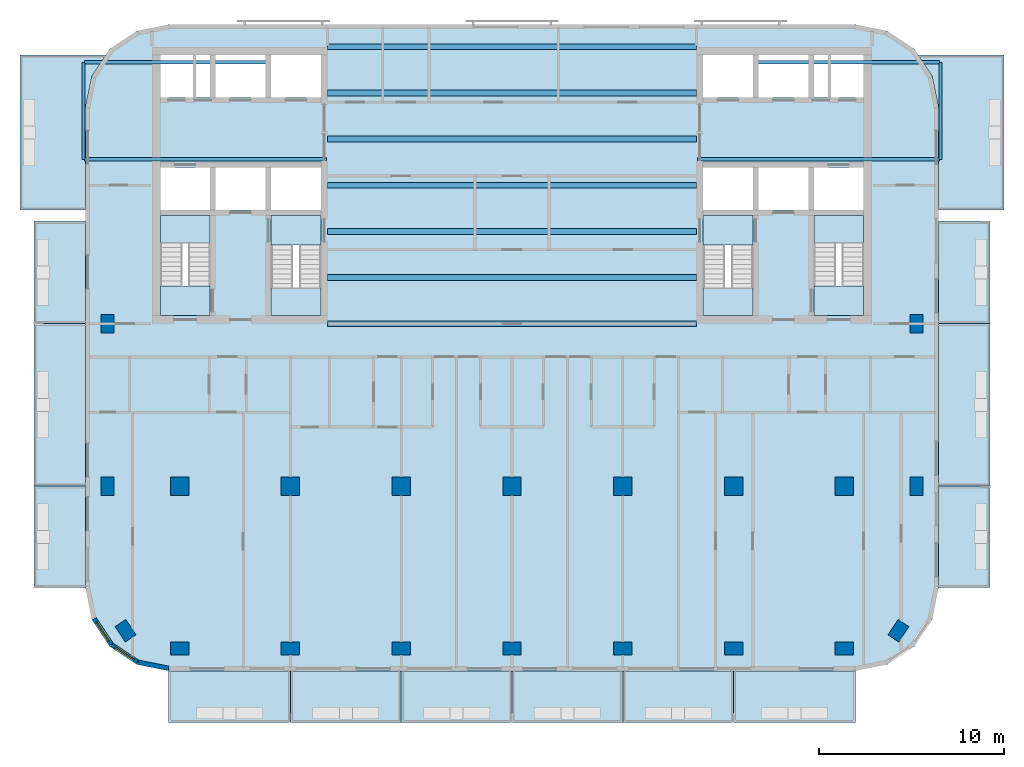
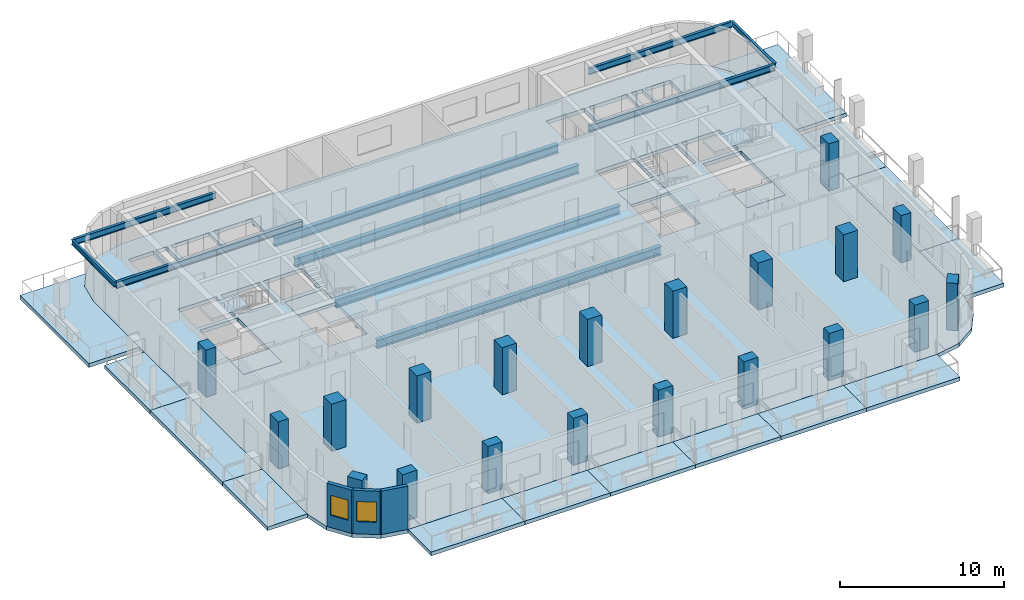
# One storey, part 1 of 11: 23 slabs, 20 columns, 13 beams, 3 walls, 2 windows, 2 openings, 4 elements without a shape of their own.
"""IFC4 building model written with IfcOpenShell, lengths in metres."""

from ifc_helpers import new_model, si_unit, direction, frame, frame_2d, origin, origin_2d, place, context, subcontext, project, spatial, polyline, rectangle, i_section, outline, extrude, material, layer, layer_set, material_profile, profile_set, type_object, element, fill, aggregate, save


model = new_model("IFC4")

# Units and contexts
model_context = context("Model", 3, precision=1e-05, world=origin(), true_north=direction((0.0, 1.0)))
body_context = subcontext(model_context, "Body", "Model", "MODEL_VIEW")
ifc_project = project(units=[si_unit("LENGTHUNIT", "METRE"), si_unit("AREAUNIT", "SQUARE_METRE"), si_unit("VOLUMEUNIT", "CUBIC_METRE"), si_unit("PLANEANGLEUNIT", "RADIAN"), si_unit("MASSUNIT", "GRAM", prefix="KILO")], contexts=[model_context])

# Site, building, storey
site_placement = place(None, origin())
site = spatial("IfcSite", under=ifc_project, at=site_placement, CompositionType="ELEMENT")
building_placement = place(site_placement, origin())
building = spatial("IfcBuilding", under=site, at=building_placement, Name="Torana Hotel and Residences", CompositionType="ELEMENT")
storey_placement = place(building_placement, frame((0.0, 0.0, 256.10009765625)))
storey = spatial("IfcBuildingStorey", under=building, at=storey_placement, Name="L67", CompositionType="ELEMENT", Elevation=256.10009765625)

# Columns
ifc_material_1 = material(Name="Concrete C50/60", Category="concrete")
ifc_material_profile_1 = material_profile(ifc_material_1, rectangle(XDim=1.0, YDim=1.0, at=origin_2d()), Name="RC 1000x1000")
ifc_profile_set_1 = profile_set([ifc_material_profile_1], Name="Concrete C50/60")
column_type_1 = type_object("IfcColumnType", Name="COLUMN RC 1000x1000 C50/60", PredefinedType="COLUMN", material=ifc_profile_set_1)
for number, where, z_axis, x_axis, name in (
    (1, (-18.0, -23.800048828125, 0.0), (0.0, 0.0, 1.0), (1.0, 0.0, 0.0), "Column L67"),
    (2, (-12.0, -23.800048828125, 0.0), (0.0, 0.0, 1.0), (1.0, 0.0, 0.0), "Column L67"),
    (3, (-6.0, -23.800048828125, 0.0), (0.0, 0.0, 1.0), (1.0, 0.0, 0.0), "Column L67"),
    (4, (0.0, -23.800048828125, 0.0), (0.0, 0.0, 1.0), (1.0, 0.0, 0.0), "Column L67"),
    (5, (6.0, -23.800048828125, 0.0), (0.0, 0.0, 1.0), (1.0, 0.0, 0.0), "Column L67"),
    (6, (12.0, -23.800048828125, 0.0), (0.0, 0.0, 1.0), (1.0, 0.0, 0.0), "Column L67"),
    (7, (18.0, -23.800048828125, 0.0), (0.0, 0.0, 1.0), (1.0, 0.0, 0.0), "Column L67"),
):
    element("IfcColumn", number, at=place(storey_placement, frame(where, z_axis=z_axis, x_axis=x_axis)), inside=storey, type_object=column_type_1, Name=name, PredefinedType="COLUMN", context=body_context, shape_type="SweptSolid", body=[
        extrude(rectangle(XDim=1.0, YDim=1.0, at=origin_2d()), origin(), (0.0, 0.0, 1.0), 3.5),
    ])
ifc_material_2 = material(Name="Concrete C50/60", Category="concrete")
ifc_material_profile_2 = material_profile(ifc_material_2, rectangle(XDim=1.0, YDim=0.699951171875, at=origin_2d()), Name="RC 1000x700")
ifc_profile_set_2 = profile_set([ifc_material_profile_2], Name="Concrete C50/60")
column_type_2 = type_object("IfcColumnType", Name="COLUMN RC 1000x700 C50/60", PredefinedType="COLUMN", material=ifc_profile_set_2)
for number, where, z_axis, x_axis, name in (
    (8, (-21.89990234375, -23.800048828125, 0.0), (0.0, 0.0, 1.0), (0.0, 1.0, 0.0), "Column L67"),
    (9, (-21.89990234375, -15.0, 0.0), (0.0, 0.0, 1.0), (0.0, 1.0, 0.0), "Column L67"),
    (10, (-20.93310546875, -31.633056640625, 0.0), (0.0, 0.0, 1.0), (-0.555584744817, 0.831459915646, 0.0), "Column L67"),
    (11, (-18.0, -32.60009765625, 0.0), (0.0, 0.0, 1.0), (1.0, 0.0, 0.0), "Column L67"),
    (12, (-12.0, -32.60009765625, 0.0), (0.0, 0.0, 1.0), (1.0, 0.0, 0.0), "Column L67"),
    (13, (-6.0, -32.60009765625, 0.0), (0.0, 0.0, 1.0), (1.0, 0.0, 0.0), "Column L67"),
    (14, (0.0, -32.60009765625, 0.0), (0.0, 0.0, 1.0), (1.0, 0.0, 0.0), "Column L67"),
    (15, (6.0, -32.60009765625, 0.0), (0.0, 0.0, 1.0), (1.0, 0.0, 0.0), "Column L67"),
    (16, (12.0, -32.60009765625, 0.0), (0.0, 0.0, 1.0), (1.0, 0.0, 0.0), "Column L67"),
    (17, (18.0, -32.60009765625, 0.0), (0.0, 0.0, 1.0), (1.0, 0.0, 0.0), "Column L67"),
    (18, (20.93310546875, -31.633056640625, 0.0), (0.0, 0.0, 1.0), (0.555584744817, 0.831459915646, 0.0), "Column L67"),
    (19, (21.89990234375, -23.800048828125, 0.0), (0.0, 0.0, 1.0), (0.0, 1.0, 0.0), "Column L67"),
    (20, (21.89990234375, -15.0, 0.0), (0.0, 0.0, 1.0), (0.0, 1.0, 0.0), "Column L67"),
):
    element("IfcColumn", number, at=place(storey_placement, frame(where, z_axis=z_axis, x_axis=x_axis)), inside=storey, type_object=column_type_2, Name=name, PredefinedType="COLUMN", context=body_context, shape_type="SweptSolid", body=[
        extrude(rectangle(XDim=1.0, YDim=0.699951171875, at=origin_2d()), origin(), (0.0, 0.0, 1.0), 3.5),
    ])

# Beams
ifc_material_3 = material(Name="Steel S355", Category="steel")
ifc_material_profile_3 = material_profile(ifc_material_3, i_section(OverallWidth=0.19287109375, OverallDepth=0.46728515625, WebThickness=0.011474609375, FlangeThickness=0.01953125, FilletRadius=0.01025390625, at=origin_2d()), Name="457x191x98 UB")
ifc_profile_set_3 = profile_set([ifc_material_profile_3], Name="Steel S355")
beam_type_1 = type_object("IfcBeamType", Name="BALCONY CANTILEVER BEAM 457x191x98 UB", PredefinedType="BEAM", material=ifc_profile_set_3)
beam_1_placement = place(storey_placement, frame((-23.1484375, -6.10009765625, 2.986328125), z_axis=(1.0, 0.0, 0.0), x_axis=(0.0, 1.0, 0.0)))
element("IfcBeam", 21, at=beam_1_placement, inside=storey, type_object=beam_type_1, Name="Balcony cantilever beam", PredefinedType="BEAM", context=body_context, shape_type="SweptSolid", body=[
    extrude(i_section(OverallWidth=0.19287109375, OverallDepth=0.46728515625, WebThickness=0.011474609375, FlangeThickness=0.01953125, FilletRadius=0.01025390625, at=origin_2d()), origin(), (0.0, 0.0, 1.0), 13.098388671875),
])
beam_2_placement = place(storey_placement, frame((-23.1484375, -0.85009765625, 2.986328125), z_axis=(1.0, 0.0, 0.0), x_axis=(0.0, 1.0, 0.0)))
element("IfcBeam", 22, at=beam_2_placement, inside=storey, type_object=beam_type_1, Name="Balcony cantilever beam", PredefinedType="BEAM", context=body_context, shape_type="SweptSolid", body=[
    extrude(i_section(OverallWidth=0.19287109375, OverallDepth=0.46728515625, WebThickness=0.011474609375, FlangeThickness=0.01953125, FilletRadius=0.01025390625, at=origin_2d()), origin(), (0.0, 0.0, 1.0), 10.04833984375),
])
beam_3_placement = place(storey_placement, frame((23.1484375, -6.10009765625, 2.986328125), z_axis=(-1.0, 0.0, 0.0), x_axis=(0.0, -1.0, 0.0)))
element("IfcBeam", 23, at=beam_3_placement, inside=storey, type_object=beam_type_1, Name="Balcony cantilever beam", PredefinedType="BEAM", context=body_context, shape_type="SweptSolid", body=[
    extrude(i_section(OverallWidth=0.19287109375, OverallDepth=0.46728515625, WebThickness=0.011474609375, FlangeThickness=0.01953125, FilletRadius=0.01025390625, at=origin_2d()), origin(), (0.0, 0.0, 1.0), 13.098388671875),
])
beam_4_placement = place(storey_placement, frame((23.1484375, -0.85009765625, 2.986328125), z_axis=(-1.0, 0.0, 0.0), x_axis=(0.0, -1.0, 0.0)))
element("IfcBeam", 24, at=beam_4_placement, inside=storey, type_object=beam_type_1, Name="Balcony cantilever beam", PredefinedType="BEAM", context=body_context, shape_type="SweptSolid", body=[
    extrude(i_section(OverallWidth=0.19287109375, OverallDepth=0.46728515625, WebThickness=0.011474609375, FlangeThickness=0.01953125, FilletRadius=0.01025390625, at=origin_2d()), origin(), (0.0, 0.0, 1.0), 10.04833984375),
])
ifc_material_4 = material(Name="Steel S355", Category="steel")
ifc_material_profile_4 = material_profile(ifc_material_4, i_section(OverallWidth=0.173095703125, OverallDepth=0.36328125, WebThickness=0.009033203125, FlangeThickness=0.015625, FilletRadius=0.01025390625, at=origin_2d()), Name="356x171x67 UB")
ifc_profile_set_4 = profile_set([ifc_material_profile_4], Name="Steel S355")
beam_type_2 = type_object("IfcBeamType", Name="BALCONY TIP BEAM 356x171x67 UB", PredefinedType="BEAM", material=ifc_profile_set_4)
for number, where, z_axis, x_axis, name in (
    (25, (-23.205078125, -6.10009765625, 3.0380859375), (0.0, 1.0, 0.0), (-1.0, 0.0, 0.0), "Balcony tip beam"),
    (26, (23.205078125, -6.10009765625, 3.0380859375), (0.0, 1.0, 0.0), (-1.0, 0.0, 0.0), "Balcony tip beam"),
):
    element("IfcBeam", number, at=place(storey_placement, frame(where, z_axis=z_axis, x_axis=x_axis)), inside=storey, type_object=beam_type_2, Name=name, PredefinedType="BEAM", context=body_context, shape_type="SweptSolid", body=[
        extrude(i_section(OverallWidth=0.173095703125, OverallDepth=0.36328125, WebThickness=0.009033203125, FlangeThickness=0.015625, FilletRadius=0.01025390625, at=origin_2d()), origin(), (0.0, 0.0, 1.0), 5.25),
    ])
ifc_material_5 = material(Name="Steel S355", Category="steel")
ifc_material_profile_5 = material_profile(ifc_material_5, i_section(OverallWidth=0.311279296875, OverallDepth=0.6357421875, WebThickness=0.018310546875, FlangeThickness=0.031494140625, FilletRadius=0.0166015625, at=origin_2d()), Name="610x305x238 UB")
ifc_profile_set_5 = profile_set([ifc_material_profile_5], Name="Steel S355")
beam_type_3 = type_object("IfcBeamType", Name="STEEL GIRDER 610x305x238 UB", PredefinedType="BEAM", material=ifc_profile_set_5)
for number, where, z_axis, x_axis, name in (
    (27, (-10.0, -15.0, -0.597900390625), (1.0, 0.0, 0.0), (0.0, 1.0, 0.0), "Floor girder"),
    (28, (-10.0, -12.5, -0.597900390625), (1.0, 0.0, 0.0), (0.0, 1.0, 0.0), "Floor girder"),
    (29, (-10.0, -10.0, -0.597900390625), (1.0, 0.0, 0.0), (0.0, 1.0, 0.0), "Floor girder"),
    (30, (-10.0, -7.5, -0.597900390625), (1.0, 0.0, 0.0), (0.0, 1.0, 0.0), "Floor girder"),
    (31, (-10.0, -5.0, -0.597900390625), (1.0, 0.0, 0.0), (0.0, 1.0, 0.0), "Floor girder"),
    (32, (-10.0, -2.5, -0.597900390625), (1.0, 0.0, 0.0), (0.0, 1.0, 0.0), "Floor girder"),
    (33, (-10.0, 0.0, -0.597900390625), (1.0, 0.0, 0.0), (0.0, 1.0, 0.0), "Floor girder"),
):
    element("IfcBeam", number, at=place(storey_placement, frame(where, z_axis=z_axis, x_axis=x_axis)), inside=storey, type_object=beam_type_3, Name=name, PredefinedType="BEAM", context=body_context, shape_type="SweptSolid", body=[
        extrude(i_section(OverallWidth=0.311279296875, OverallDepth=0.6357421875, WebThickness=0.018310546875, FlangeThickness=0.031494140625, FilletRadius=0.0166015625, at=origin_2d()), origin(), (0.0, 0.0, 1.0), 20.0),
    ])

# Slabs
ifc_material_6 = material(Name="Concrete C40/50", Category="concrete")
ifc_layer_1 = layer(ifc_material_6, 0.280029296875)
ifc_layer_set_1 = layer_set([ifc_layer_1], Name="BAL1 BALCONY SLAB 280")
slab_type_1 = type_object("IfcSlabType", Name="BAL1 BALCONY SLAB 280", PredefinedType="USERDEFINED", material=ifc_layer_set_1)
slab_1_placement = place(storey_placement, frame((0.0, 0.0, -0.280029296875)))
element("IfcSlab", 34, at=slab_1_placement, inside=storey, type_object=slab_type_1, Name="Balcony 01", ObjectType="BALCONY", PredefinedType="USERDEFINED", context=body_context, shape_type="SweptSolid", body=[
    extrude(outline(polyline([(-18.60009765625, -36.60009765625), (-12.0, -36.60009765625), (-12.0, -33.800048828125), (-18.60009765625, -33.800048828125), (-18.60009765625, -36.60009765625)])), origin(), (0.0, 0.0, 1.0), 0.280029296875),
])
slab_2_placement = place(storey_placement, frame((0.0, 0.0, -0.280029296875)))
element("IfcSlab", 35, at=slab_2_placement, inside=storey, type_object=slab_type_1, Name="Balcony 02", ObjectType="BALCONY", PredefinedType="USERDEFINED", context=body_context, shape_type="SweptSolid", body=[
    extrude(outline(polyline([(-12.0, -36.60009765625), (-6.0, -36.60009765625), (-6.0, -33.800048828125), (-12.0, -33.800048828125), (-12.0, -36.60009765625)])), origin(), (0.0, 0.0, 1.0), 0.280029296875),
])
slab_3_placement = place(storey_placement, frame((0.0, 0.0, -0.280029296875)))
element("IfcSlab", 36, at=slab_3_placement, inside=storey, type_object=slab_type_1, Name="Balcony 03", ObjectType="BALCONY", PredefinedType="USERDEFINED", context=body_context, shape_type="SweptSolid", body=[
    extrude(outline(polyline([(-6.0, -36.60009765625), (0.0, -36.60009765625), (0.0, -33.800048828125), (-6.0, -33.800048828125), (-6.0, -36.60009765625)])), origin(), (0.0, 0.0, 1.0), 0.280029296875),
])
slab_4_placement = place(storey_placement, frame((0.0, 0.0, -0.280029296875)))
element("IfcSlab", 37, at=slab_4_placement, inside=storey, type_object=slab_type_1, Name="Balcony 04", ObjectType="BALCONY", PredefinedType="USERDEFINED", context=body_context, shape_type="SweptSolid", body=[
    extrude(outline(polyline([(0.0, -36.60009765625), (6.0, -36.60009765625), (6.0, -33.800048828125), (0.0, -33.800048828125), (0.0, -36.60009765625)])), origin(), (0.0, 0.0, 1.0), 0.280029296875),
])
slab_5_placement = place(storey_placement, frame((0.0, 0.0, -0.280029296875)))
element("IfcSlab", 38, at=slab_5_placement, inside=storey, type_object=slab_type_1, Name="Balcony 05", ObjectType="BALCONY", PredefinedType="USERDEFINED", context=body_context, shape_type="SweptSolid", body=[
    extrude(outline(polyline([(6.0, -36.60009765625), (12.0, -36.60009765625), (12.0, -33.800048828125), (6.0, -33.800048828125), (6.0, -36.60009765625)])), origin(), (0.0, 0.0, 1.0), 0.280029296875),
])
slab_6_placement = place(storey_placement, frame((0.0, 0.0, -0.280029296875)))
element("IfcSlab", 39, at=slab_6_placement, inside=storey, type_object=slab_type_1, Name="Balcony 06", ObjectType="BALCONY", PredefinedType="USERDEFINED", context=body_context, shape_type="SweptSolid", body=[
    extrude(outline(polyline([(12.0, -36.60009765625), (18.60009765625, -36.60009765625), (18.60009765625, -33.800048828125), (12.0, -33.800048828125), (12.0, -36.60009765625)])), origin(), (0.0, 0.0, 1.0), 0.280029296875),
])
slab_7_placement = place(storey_placement, frame((0.0, 0.0, -0.280029296875)))
element("IfcSlab", 40, at=slab_7_placement, inside=storey, type_object=slab_type_1, Name="Balcony 07", ObjectType="BALCONY", PredefinedType="USERDEFINED", context=body_context, shape_type="SweptSolid", body=[
    extrude(outline(polyline([(-25.89990234375, -29.300048828125), (-23.10009765625, -29.300048828125), (-23.10009765625, -23.800048828125), (-25.89990234375, -23.800048828125), (-25.89990234375, -29.300048828125)])), origin(), (0.0, 0.0, 1.0), 0.280029296875),
])
slab_8_placement = place(storey_placement, frame((0.0, 0.0, -0.280029296875)))
element("IfcSlab", 41, at=slab_8_placement, inside=storey, type_object=slab_type_1, Name="Balcony 08", ObjectType="BALCONY", PredefinedType="USERDEFINED", context=body_context, shape_type="SweptSolid", body=[
    extrude(outline(polyline([(-25.89990234375, -23.800048828125), (-23.10009765625, -23.800048828125), (-23.10009765625, -15.0), (-25.89990234375, -15.0), (-25.89990234375, -23.800048828125)])), origin(), (0.0, 0.0, 1.0), 0.280029296875),
])
slab_9_placement = place(storey_placement, frame((0.0, 0.0, -0.280029296875)))
element("IfcSlab", 42, at=slab_9_placement, inside=storey, type_object=slab_type_1, Name="Balcony 09", ObjectType="BALCONY", PredefinedType="USERDEFINED", context=body_context, shape_type="SweptSolid", body=[
    extrude(outline(polyline([(-25.89990234375, -15.0), (-23.10009765625, -15.0), (-23.10009765625, -9.449951171875), (-25.89990234375, -9.449951171875), (-25.89990234375, -15.0)])), origin(), (0.0, 0.0, 1.0), 0.280029296875),
])
slab_10_placement = place(storey_placement, frame((0.0, 0.0, -0.280029296875)))
element("IfcSlab", 43, at=slab_10_placement, inside=storey, type_object=slab_type_1, Name="Balcony 10", ObjectType="BALCONY", PredefinedType="USERDEFINED", context=body_context, shape_type="SweptSolid", body=[
    extrude(outline(polyline([(-26.64990234375, -8.85009765625), (-23.10009765625, -8.85009765625), (-23.10009765625, -3.300048828125), (-22.757568359375, -1.577880859375), (-22.00390625, -0.449951171875), (-26.64990234375, -0.449951171875), (-26.64990234375, -8.85009765625)])), origin(), (0.0, 0.0, 1.0), 0.280029296875),
])
slab_11_placement = place(storey_placement, frame((0.0, 0.0, -0.280029296875)))
element("IfcSlab", 44, at=slab_11_placement, inside=storey, type_object=slab_type_1, Name="Balcony 11", ObjectType="BALCONY", PredefinedType="USERDEFINED", context=body_context, shape_type="SweptSolid", body=[
    extrude(outline(polyline([(23.10009765625, -29.300048828125), (25.89990234375, -29.300048828125), (25.89990234375, -23.800048828125), (23.10009765625, -23.800048828125), (23.10009765625, -29.300048828125)])), origin(), (0.0, 0.0, 1.0), 0.280029296875),
])
slab_12_placement = place(storey_placement, frame((0.0, 0.0, -0.280029296875)))
element("IfcSlab", 45, at=slab_12_placement, inside=storey, type_object=slab_type_1, Name="Balcony 12", ObjectType="BALCONY", PredefinedType="USERDEFINED", context=body_context, shape_type="SweptSolid", body=[
    extrude(outline(polyline([(23.10009765625, -23.800048828125), (25.89990234375, -23.800048828125), (25.89990234375, -15.0), (23.10009765625, -15.0), (23.10009765625, -23.800048828125)])), origin(), (0.0, 0.0, 1.0), 0.280029296875),
])
slab_13_placement = place(storey_placement, frame((0.0, 0.0, -0.280029296875)))
element("IfcSlab", 46, at=slab_13_placement, inside=storey, type_object=slab_type_1, Name="Balcony 13", ObjectType="BALCONY", PredefinedType="USERDEFINED", context=body_context, shape_type="SweptSolid", body=[
    extrude(outline(polyline([(23.10009765625, -15.0), (25.89990234375, -15.0), (25.89990234375, -9.449951171875), (23.10009765625, -9.449951171875), (23.10009765625, -15.0)])), origin(), (0.0, 0.0, 1.0), 0.280029296875),
])
slab_14_placement = place(storey_placement, frame((0.0, 0.0, -0.280029296875)))
element("IfcSlab", 47, at=slab_14_placement, inside=storey, type_object=slab_type_1, Name="Balcony 14", ObjectType="BALCONY", PredefinedType="USERDEFINED", context=body_context, shape_type="SweptSolid", body=[
    extrude(outline(polyline([(23.10009765625, -8.85009765625), (26.64990234375, -8.85009765625), (26.64990234375, -0.449951171875), (22.00390625, -0.449951171875), (22.757568359375, -1.577880859375), (23.10009765625, -3.300048828125), (23.10009765625, -8.85009765625)])), origin(), (0.0, 0.0, 1.0), 0.280029296875),
])
ifc_material_7 = material(Name="Concrete C40/50", Category="concrete")
ifc_layer_2 = layer(ifc_material_7, 0.280029296875)
ifc_layer_set_2 = layer_set([ifc_layer_2], Name="FLOOR SLAB PT 280")
slab_type_2 = type_object("IfcSlabType", Name="FLOOR SLAB PT 280", PredefinedType="FLOOR", material=ifc_layer_set_2)
slab_15_placement = place(storey_placement, frame((0.0, 0.0, -0.280029296875)))
element("IfcSlab", 48, at=slab_15_placement, inside=storey, type_object=slab_type_2, Name="Floor slab", PredefinedType="FLOOR", context=body_context, shape_type="SweptSolid", body=[
    extrude(outline(polyline([(23.10009765625, -3.300048828125), (22.757568359375, -1.577880859375), (21.781982421875, -0.117919921875), (20.322021484375, 0.857421875), (18.60009765625, 1.199951171875), (-18.60009765625, 1.199951171875), (-20.322021484375, 0.857421875), (-21.781982421875, -0.117919921875), (-22.757568359375, -1.577880859375), (-23.10009765625, -3.300048828125), (-23.10009765625, -29.300048828125), (-22.757568359375, -31.022216796875), (-21.781982421875, -32.48193359375), (-20.322021484375, -33.45751953125), (-18.60009765625, -33.800048828125), (18.60009765625, -33.800048828125), (20.322021484375, -33.45751953125), (21.781982421875, -32.48193359375), (22.757568359375, -31.022216796875), (23.10009765625, -29.300048828125), (23.10009765625, -3.300048828125)]), holes=[polyline([(-13.050048828125, -14.550048828125), (-10.35009765625, -14.550048828125), (-10.35009765625, -9.14990234375), (-13.050048828125, -9.14990234375), (-13.050048828125, -14.550048828125)]), polyline([(-19.050048828125, -14.550048828125), (-16.35009765625, -14.550048828125), (-16.35009765625, -9.14990234375), (-19.050048828125, -9.14990234375), (-19.050048828125, -14.550048828125)]), polyline([(-17.125, -2.75), (-16.35009765625, -2.75), (-16.35009765625, -0.449951171875), (-17.125, -0.449951171875), (-17.125, -2.75)]), polyline([(-19.050048828125, -2.75), (-17.27490234375, -2.75), (-17.27490234375, -0.449951171875), (-19.050048828125, -0.449951171875), (-19.050048828125, -2.75)]), polyline([(-13.050048828125, -2.75), (-10.35009765625, -2.75), (-10.35009765625, -0.449951171875), (-13.050048828125, -0.449951171875), (-13.050048828125, -2.75)]), polyline([(-16.050048828125, -2.75), (-13.35009765625, -2.75), (-13.35009765625, -0.449951171875), (-16.050048828125, -0.449951171875), (-16.050048828125, -2.75)]), polyline([(-13.050048828125, -8.85009765625), (-10.35009765625, -8.85009765625), (-10.35009765625, -6.550048828125), (-13.050048828125, -6.550048828125), (-13.050048828125, -8.85009765625)]), polyline([(-16.050048828125, -8.85009765625), (-13.35009765625, -8.85009765625), (-13.35009765625, -6.550048828125), (-16.050048828125, -6.550048828125), (-16.050048828125, -8.85009765625)]), polyline([(-19.050048828125, -8.85009765625), (-16.35009765625, -8.85009765625), (-16.35009765625, -6.550048828125), (-19.050048828125, -6.550048828125), (-19.050048828125, -8.85009765625)]), polyline([(10.35009765625, -14.550048828125), (13.050048828125, -14.550048828125), (13.050048828125, -9.14990234375), (10.35009765625, -9.14990234375), (10.35009765625, -14.550048828125)]), polyline([(16.35009765625, -14.550048828125), (19.050048828125, -14.550048828125), (19.050048828125, -9.14990234375), (16.35009765625, -9.14990234375), (16.35009765625, -14.550048828125)]), polyline([(16.35009765625, -2.75), (17.125, -2.75), (17.125, -0.449951171875), (16.35009765625, -0.449951171875), (16.35009765625, -2.75)]), polyline([(17.27490234375, -2.75), (19.050048828125, -2.75), (19.050048828125, -0.449951171875), (17.27490234375, -0.449951171875), (17.27490234375, -2.75)]), polyline([(10.35009765625, -2.75), (13.050048828125, -2.75), (13.050048828125, -0.449951171875), (10.35009765625, -0.449951171875), (10.35009765625, -2.75)]), polyline([(13.35009765625, -2.75), (16.050048828125, -2.75), (16.050048828125, -0.449951171875), (13.35009765625, -0.449951171875), (13.35009765625, -2.75)]), polyline([(10.35009765625, -8.85009765625), (13.050048828125, -8.85009765625), (13.050048828125, -6.550048828125), (10.35009765625, -6.550048828125), (10.35009765625, -8.85009765625)]), polyline([(13.35009765625, -8.85009765625), (16.050048828125, -8.85009765625), (16.050048828125, -6.550048828125), (13.35009765625, -6.550048828125), (13.35009765625, -8.85009765625)]), polyline([(16.35009765625, -8.85009765625), (19.050048828125, -8.85009765625), (19.050048828125, -6.550048828125), (16.35009765625, -6.550048828125), (16.35009765625, -8.85009765625)])]), origin(), (0.0, 0.0, 1.0), 0.280029296875),
])

# Stair, slabs
ifc_material_8 = material(Name="Concrete C40/50 precast", Category="concrete")
stair_type_1 = type_object("IfcStairType", Name="STAIR ST1 HALF TURN 1200", PredefinedType="HALF_TURN_STAIR", material=ifc_material_8)
stair_1_placement = place(storey_placement, origin())
stair_1 = element("IfcStair", 49, at=stair_1_placement, inside=storey, type_object=stair_type_1, Name="Stair ST1 L67", PredefinedType="HALF_TURN_STAIR")
ifc_material_9 = material(Name="Concrete C40/50 precast", Category="concrete")
ifc_layer_3 = layer(ifc_material_9, 0.199951171875)
ifc_layer_set_3 = layer_set([ifc_layer_3], Name="STAIR LANDING 200")
slab_type_3 = type_object("IfcSlabType", Name="STAIR LANDING 200", PredefinedType="LANDING", material=ifc_layer_set_3)
slab_16_placement = place(storey_placement, frame((0.0, 0.0, 1.5498046875)))
slab_16 = element("IfcSlab", 50, at=slab_16_placement, type_object=slab_type_3, Name="ST1 landing 1", PredefinedType="LANDING", context=body_context, shape_type="SweptSolid", body=[
    extrude(outline(polyline([(-13.050048828125, -14.550048828125), (-10.35009765625, -14.550048828125), (-10.35009765625, -13.090087890625), (-13.050048828125, -13.090087890625), (-13.050048828125, -14.550048828125)])), origin(), (0.0, 0.0, 1.0), 0.2001953125),
])
slab_17_placement = place(storey_placement, frame((0.0, 0.0, -0.2001953125)))
slab_17 = element("IfcSlab", 51, at=slab_17_placement, type_object=slab_type_3, Name="ST1 landing 2", PredefinedType="LANDING", context=body_context, shape_type="SweptSolid", body=[
    extrude(outline(polyline([(-13.050048828125, -10.75), (-10.35009765625, -10.75), (-10.35009765625, -9.14990234375), (-13.050048828125, -9.14990234375), (-13.050048828125, -10.75)])), origin(), (0.0, 0.0, 1.0), 0.2001953125),
])
aggregate(stair_1, [slab_16, slab_17])

ifc_material_10 = material(Name="Concrete C40/50 precast", Category="concrete")
stair_type_2 = type_object("IfcStairType", Name="STAIR ST2 HALF TURN 1200", PredefinedType="HALF_TURN_STAIR", material=ifc_material_10)
stair_2_placement = place(storey_placement, origin())
stair_2 = element("IfcStair", 52, at=stair_2_placement, inside=storey, type_object=stair_type_2, Name="Stair ST2 L67", PredefinedType="HALF_TURN_STAIR")
slab_18_placement = place(storey_placement, frame((0.0, 0.0, 1.5498046875)))
slab_18 = element("IfcSlab", 53, at=slab_18_placement, type_object=slab_type_3, Name="ST2 landing 1", PredefinedType="LANDING", context=body_context, shape_type="SweptSolid", body=[
    extrude(outline(polyline([(-19.050048828125, -10.610107421875), (-16.35009765625, -10.610107421875), (-16.35009765625, -9.14990234375), (-19.050048828125, -9.14990234375), (-19.050048828125, -10.610107421875)])), origin(), (0.0, 0.0, 1.0), 0.2001953125),
])
slab_19_placement = place(storey_placement, frame((0.0, 0.0, -0.2001953125)))
slab_19 = element("IfcSlab", 54, at=slab_19_placement, type_object=slab_type_3, Name="ST2 landing 2", PredefinedType="LANDING", context=body_context, shape_type="SweptSolid", body=[
    extrude(outline(polyline([(-19.050048828125, -14.550048828125), (-16.35009765625, -14.550048828125), (-16.35009765625, -12.949951171875), (-19.050048828125, -12.949951171875), (-19.050048828125, -14.550048828125)])), origin(), (0.0, 0.0, 1.0), 0.2001953125),
])
aggregate(stair_2, [slab_18, slab_19])

ifc_material_11 = material(Name="Concrete C40/50 precast", Category="concrete")
stair_type_3 = type_object("IfcStairType", Name="STAIR ST3 HALF TURN 1200", PredefinedType="HALF_TURN_STAIR", material=ifc_material_11)
stair_3_placement = place(storey_placement, origin())
stair_3 = element("IfcStair", 55, at=stair_3_placement, inside=storey, type_object=stair_type_3, Name="Stair ST3 L67", PredefinedType="HALF_TURN_STAIR")
slab_20_placement = place(storey_placement, frame((0.0, 0.0, 1.5498046875)))
slab_20 = element("IfcSlab", 56, at=slab_20_placement, type_object=slab_type_3, Name="ST3 landing 1", PredefinedType="LANDING", context=body_context, shape_type="SweptSolid", body=[
    extrude(outline(polyline([(10.35009765625, -14.550048828125), (13.050048828125, -14.550048828125), (13.050048828125, -13.090087890625), (10.35009765625, -13.090087890625), (10.35009765625, -14.550048828125)])), origin(), (0.0, 0.0, 1.0), 0.2001953125),
])
slab_21_placement = place(storey_placement, frame((0.0, 0.0, -0.2001953125)))
slab_21 = element("IfcSlab", 57, at=slab_21_placement, type_object=slab_type_3, Name="ST3 landing 2", PredefinedType="LANDING", context=body_context, shape_type="SweptSolid", body=[
    extrude(outline(polyline([(10.35009765625, -10.75), (13.050048828125, -10.75), (13.050048828125, -9.14990234375), (10.35009765625, -9.14990234375), (10.35009765625, -10.75)])), origin(), (0.0, 0.0, 1.0), 0.2001953125),
])
aggregate(stair_3, [slab_20, slab_21])

ifc_material_12 = material(Name="Concrete C40/50 precast", Category="concrete")
stair_type_4 = type_object("IfcStairType", Name="STAIR ST4 HALF TURN 1200", PredefinedType="HALF_TURN_STAIR", material=ifc_material_12)
stair_4_placement = place(storey_placement, origin())
stair_4 = element("IfcStair", 58, at=stair_4_placement, inside=storey, type_object=stair_type_4, Name="Stair ST4 L67", PredefinedType="HALF_TURN_STAIR")
slab_22_placement = place(storey_placement, frame((0.0, 0.0, 1.5498046875)))
slab_22 = element("IfcSlab", 59, at=slab_22_placement, type_object=slab_type_3, Name="ST4 landing 1", PredefinedType="LANDING", context=body_context, shape_type="SweptSolid", body=[
    extrude(outline(polyline([(16.35009765625, -10.610107421875), (19.050048828125, -10.610107421875), (19.050048828125, -9.14990234375), (16.35009765625, -9.14990234375), (16.35009765625, -10.610107421875)])), origin(), (0.0, 0.0, 1.0), 0.2001953125),
])
slab_23_placement = place(storey_placement, frame((0.0, 0.0, -0.2001953125)))
slab_23 = element("IfcSlab", 60, at=slab_23_placement, type_object=slab_type_3, Name="ST4 landing 2", PredefinedType="LANDING", context=body_context, shape_type="SweptSolid", body=[
    extrude(outline(polyline([(16.35009765625, -14.550048828125), (19.050048828125, -14.550048828125), (19.050048828125, -12.949951171875), (16.35009765625, -12.949951171875), (16.35009765625, -14.550048828125)])), origin(), (0.0, 0.0, 1.0), 0.2001953125),
])
aggregate(stair_4, [slab_22, slab_23])

# Wall, opening, window
ifc_material_13 = material(Name="Black aluminium composite panel", Category="aluminium")
ifc_layer_4 = layer(ifc_material_13, 0.00390625, Name="Cladding", Category="cladding")
ifc_material_14 = material(Name="Ventilated air cavity")
ifc_layer_5 = layer(ifc_material_14, 0.0400390625, Name="Ventilated cavity", Category="cavity")
ifc_material_15 = material(Name="Mineral wool insulation")
ifc_layer_6 = layer(ifc_material_15, 0.090087890625, Name="Insulation", Category="insulation")
ifc_material_16 = material(Name="Steel S280GD", Category="steel")
ifc_layer_7 = layer(ifc_material_16, 0.092041015625, Name="Steel stud frame", Category="structure")
ifc_material_17 = material(Name="Fire rated plasterboard")
ifc_layer_8 = layer(ifc_material_17, 0.011962890625, Name="Inner board", Category="finish")
ifc_layer_9 = layer(ifc_material_17, 0.011962890625, Name="Second board", Category="finish")
ifc_layer_set_4 = layer_set([ifc_layer_4, ifc_layer_5, ifc_layer_6, ifc_layer_7, ifc_layer_8, ifc_layer_9], Name="EW1 EXTERNAL WALL BLACK METAL CLAD 250")
wall_type = type_object("IfcWallType", Name="EW1 EXTERNAL WALL BLACK METAL CLAD 250", PredefinedType="SOLIDWALL", material=ifc_layer_set_4)
wall_1_placement = place(storey_placement, frame((-22.6259765625, -30.993896484375, 0.0), z_axis=(0.0, 0.0, 1.0), x_axis=(0.55555029066, -0.831482937015, 0.0)))
wall_1 = element("IfcWall", 61, at=wall_1_placement, inside=storey, type_object=wall_type, Name="External wall L67 e0.11", PredefinedType="SOLIDWALL", context=body_context, shape_type="SweptSolid", body=[
    extrude(rectangle(XDim=1.65625, YDim=0.25, at=frame_2d((0.828125, 0.0))), origin(), (0.0, 0.0, 1.0), 3.219970703125),
])
opening_1_placement = place(wall_1_placement, frame((0.228271484375, 0.0, 0.89990234375)))
opening_1 = element("IfcOpeningElement", 62, at=opening_1_placement, cuts=wall_1, Name="Opening W5", PredefinedType="OPENING", context=body_context, shape_type="SweptSolid", body=[
    extrude(rectangle(XDim=1.199951171875, YDim=1.5, at=frame_2d((0.60009765625, 0.75))), frame((0.0, 0.135009765625, 0.0), z_axis=(0.0, -1.0, 0.0), x_axis=(1.0, 0.0, 0.0)), (0.0, 0.0, 1.0), 0.27001953125),
])
ifc_material_18 = material(Name="Dark glass in black aluminium frame", Category="aluminium")
window_type = type_object("IfcWindowType", Name="W5 CORNER FACET WINDOW 1200x1500", PartitioningType="SINGLE_PANEL", PredefinedType="WINDOW", material=ifc_material_18)
window_1_placement = place(opening_1_placement, origin())
window_1 = element("IfcWindow", 63, at=window_1_placement, inside=storey, type_object=window_type, Name="Window L67 e0.11", OverallHeight=1.5, OverallWidth=1.199951171875, PartitioningType="SINGLE_PANEL", PredefinedType="WINDOW", context=body_context, shape_type="SweptSolid", body=[
    extrude(rectangle(XDim=1.199951171875, YDim=1.5, at=frame_2d((0.60009765625, 0.75))), frame((0.0, 0.030029296875, 0.0), z_axis=(0.0, -1.0, 0.0), x_axis=(1.0, 0.0, 0.0)), (0.0, 0.0, 1.0), 0.06005859375),
])
fill(opening_1, window_1)

wall_2_placement = place(storey_placement, frame((-21.671142578125, -32.40576171875, 0.0), z_axis=(0.0, 0.0, 1.0), x_axis=(0.831482937015, -0.55555029066, 0.0)))
wall_2 = element("IfcWall", 64, at=wall_2_placement, inside=storey, type_object=wall_type, Name="External wall L67 e0.12", PredefinedType="SOLIDWALL", context=body_context, shape_type="SweptSolid", body=[
    extrude(rectangle(XDim=1.65625, YDim=0.25, at=frame_2d((0.828125, 0.0))), origin(), (0.0, 0.0, 1.0), 3.219970703125),
])
opening_2_placement = place(wall_2_placement, frame((0.228271484375, 0.0, 0.89990234375)))
opening_2 = element("IfcOpeningElement", 65, at=opening_2_placement, cuts=wall_2, Name="Opening W5", PredefinedType="OPENING", context=body_context, shape_type="SweptSolid", body=[
    extrude(rectangle(XDim=1.199951171875, YDim=1.5, at=frame_2d((0.60009765625, 0.75))), frame((0.0, 0.135009765625, 0.0), z_axis=(0.0, -1.0, 0.0), x_axis=(1.0, 0.0, 0.0)), (0.0, 0.0, 1.0), 0.27001953125),
])
window_2_placement = place(opening_2_placement, origin())
window_2 = element("IfcWindow", 66, at=window_2_placement, inside=storey, type_object=window_type, Name="Window L67 e0.12", OverallHeight=1.5, OverallWidth=1.199951171875, PartitioningType="SINGLE_PANEL", PredefinedType="WINDOW", context=body_context, shape_type="SweptSolid", body=[
    extrude(rectangle(XDim=1.199951171875, YDim=1.5, at=frame_2d((0.60009765625, 0.75))), frame((0.0, 0.030029296875, 0.0), z_axis=(0.0, -1.0, 0.0), x_axis=(1.0, 0.0, 0.0)), (0.0, 0.0, 1.0), 0.06005859375),
])
fill(opening_2, window_2)

# Wall
wall_3_placement = place(storey_placement, frame((-20.248779296875, -33.344482421875, 0.0), z_axis=(0.0, 0.0, 1.0), x_axis=(0.980770110232, -0.195166572128, 0.0)))
element("IfcWall", 67, at=wall_3_placement, inside=storey, type_object=wall_type, Name="External wall L67 e0.13", PredefinedType="SOLIDWALL", context=body_context, shape_type="SweptSolid", body=[
    extrude(rectangle(XDim=1.68115234375, YDim=0.25, at=frame_2d((0.840576171875, 0.0))), origin(), (0.0, 0.0, 1.0), 3.219970703125),
])

save(model, "model.ifc")
